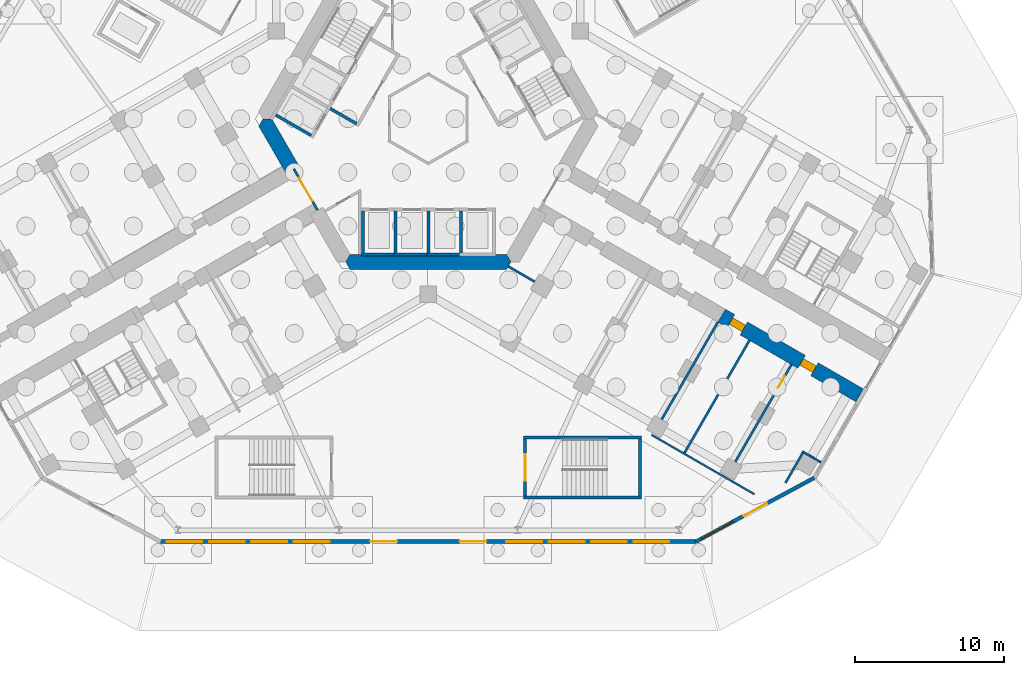
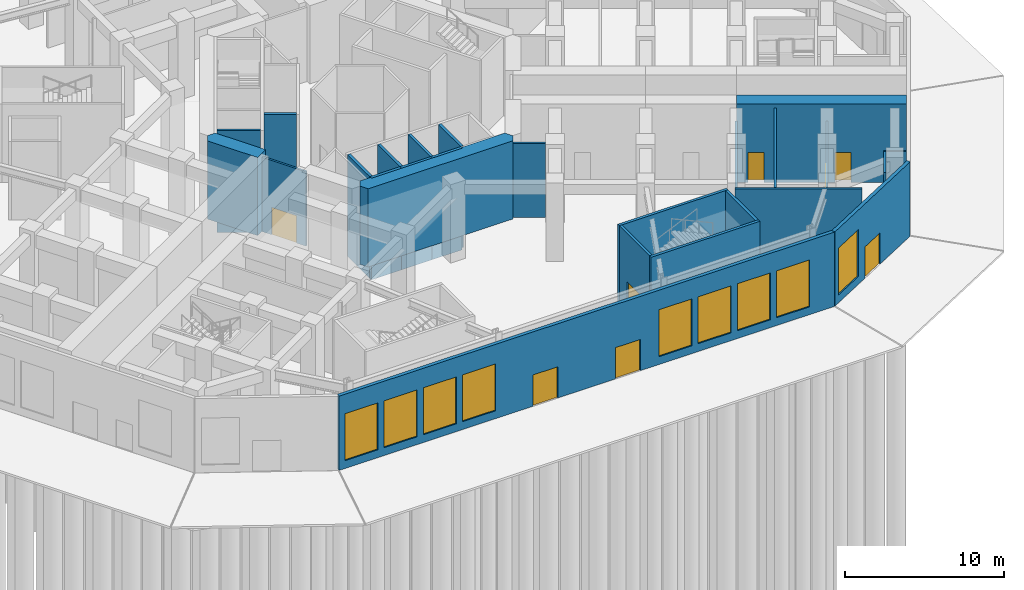
# One storey, part 6 of 16: 26 walls, 9 windows, 8 doors, 17 openings.
"""IFC4 building model written with IfcOpenShell, lengths in metres."""

import ifcopenshell
import ifcopenshell.guid

model = None  # the IFC model being written
_history = None  # IfcOwnerHistory: only IFC2X3 demands one
_inside = {}  # id of a spatial element -> (the spatial element, [elements in it])
_under = {}  # id of a project, library or spatial element -> (it, [spatial elements below it])
_declared = {}  # id of a project -> (the project, [libraries it declares])
_typed = {}  # id of a type object -> (the type object, [elements of that type])
_made_of = {}  # id of a material, layer set ... -> (it, [elements and type objects made of it])


def new_model(schema):
    """Start an empty IFC model of exactly this schema.

    Asked for "IFC4X3", IfcOpenShell would pick the latest addendum, in which some entities
    have other attributes; the version numbers below select the first issue.
    IFC2X3 requires an IfcOwnerHistory on every rooted entity: one is made here for all.
    """
    global model, _history
    if schema == "IFC4X3":
        model = ifcopenshell.file(schema_version=(4, 3, 0, 0))
    else:
        model = ifcopenshell.file(schema=schema)
    _inside.clear()
    _under.clear()
    _declared.clear()
    _typed.clear()
    _made_of.clear()
    _history = None
    if model.schema == "IFC2X3":
        org = make("IfcOrganization", Name="unknown")
        user = make(
            "IfcPersonAndOrganization",
            ThePerson=make("IfcPerson", FamilyName="unknown"),
            TheOrganization=org,
        )
        app = make(
            "IfcApplication",
            ApplicationDeveloper=org,
            Version="unknown",
            ApplicationFullName="unknown",
            ApplicationIdentifier="unknown",
        )
        _history = make(
            "IfcOwnerHistory",
            OwningUser=user,
            OwningApplication=app,
            ChangeAction="ADDED",
            CreationDate=0,
        )
    return model


def make(cls, **values):
    """One entity of the class cls with the attributes given. An attribute that is None is left unset."""
    return model.create_entity(
        cls, **{name: value for name, value in values.items() if value is not None}
    )


def rooted(cls, **values):
    """An entity with a GlobalId (a new one), such as an element, a storey or a relation."""
    return make(cls, GlobalId=ifcopenshell.guid.new(), OwnerHistory=_history, **values)


def si_unit(unit_type, name, prefix=None):
    """IfcSIUnit, for example si_unit("LENGTHUNIT", "METRE", prefix="MILLI")."""
    return make("IfcSIUnit", UnitType=unit_type, Prefix=prefix, Name=name)


def assignment(units):
    """IfcUnitAssignment: the units of a project."""
    return None if units is None else make("IfcUnitAssignment", Units=units)


def point(xyz):
    """IfcCartesianPoint."""
    return None if xyz is None else make("IfcCartesianPoint", Coordinates=xyz)


def direction(xyz):
    """IfcDirection."""
    return None if xyz is None else make("IfcDirection", DirectionRatios=xyz)


def frame(location, z_axis=None, x_axis=None):
    """IfcAxis2Placement3D, a coordinate frame: its origin and axes. An axis left out is left unset."""
    return make(
        "IfcAxis2Placement3D",
        Location=point(location),
        Axis=direction(z_axis),
        RefDirection=direction(x_axis),
    )


def frame_2d(location, x_axis=None):
    """IfcAxis2Placement2D, a coordinate frame in the plane: its origin and x axis."""
    return make(
        "IfcAxis2Placement2D", Location=point(location), RefDirection=direction(x_axis)
    )


def origin():
    """The frame at (0, 0, 0) with its axes left unset."""
    return frame((0.0, 0.0, 0.0))


def place(relative_to, where):
    """IfcLocalPlacement: puts the frame where relative to a parent placement (None: the world)."""
    return make(
        "IfcLocalPlacement", PlacementRelTo=relative_to, RelativePlacement=where
    )


def context(
    kind, dimensions, precision=None, world=None, true_north=None, identifier=None
):
    """IfcGeometricRepresentationContext, for example the 3D "Model" context."""
    return make(
        "IfcGeometricRepresentationContext",
        ContextIdentifier=identifier,
        ContextType=kind,
        CoordinateSpaceDimension=dimensions,
        Precision=precision,
        WorldCoordinateSystem=world,
        TrueNorth=true_north,
    )


def subcontext(parent, identifier, kind, view, scale=None):
    """IfcGeometricRepresentationSubContext, for example "Body" below "Model"."""
    return make(
        "IfcGeometricRepresentationSubContext",
        ContextIdentifier=identifier,
        ContextType=kind,
        ParentContext=parent,
        TargetScale=scale,
        TargetView=view,
    )


def project(units=None, contexts=None):
    """IfcProject with its units and contexts."""
    return rooted(
        "IfcProject",
        Name="project",
        RepresentationContexts=contexts,
        UnitsInContext=assignment(units),
    )


def spatial(cls, under=None, at=None, **own):
    """A site, building, storey or space (cls), placed at a placement, below another one or the project."""
    s = rooted(cls, ObjectPlacement=at, **own)
    if under is not None:
        _under.setdefault(under.id(), (under, []))[1].append(s)
    return s


def polyline(points):
    """IfcPolyline through the points."""
    return make("IfcPolyline", Points=[point(p) for p in points])


def profile(cls, at=None, kind="AREA", **sizes):
    """A parametric profile (cls). Its sizes go by their IFC names, for example OverallWidth=200.0."""
    return make(cls, ProfileType=kind, Position=at, **sizes)


def rectangle(**sizes):
    """IfcRectangleProfileDef."""
    return profile("IfcRectangleProfileDef", **sizes)


def outline(outer, holes=None, kind="AREA"):
    """IfcArbitraryClosedProfileDef: a profile drawn as a closed curve; with holes, ...WithVoids."""
    if holes is None:
        return make("IfcArbitraryClosedProfileDef", ProfileType=kind, OuterCurve=outer)
    return make(
        "IfcArbitraryProfileDefWithVoids",
        ProfileType=kind,
        OuterCurve=outer,
        InnerCurves=holes,
    )


def extrude(swept, where, along, depth):
    """IfcExtrudedAreaSolid: the profile swept, set in the frame where, extruded along a direction by depth."""
    return make(
        "IfcExtrudedAreaSolid",
        SweptArea=swept,
        Position=where,
        ExtrudedDirection=direction(along),
        Depth=depth,
    )


def shape(context_of_items, identifier, shape_type, items):
    """IfcShapeRepresentation: the items that make up one representation, for example the "Body"."""
    return make(
        "IfcShapeRepresentation",
        ContextOfItems=context_of_items,
        RepresentationIdentifier=identifier,
        RepresentationType=shape_type,
        Items=items,
    )


def material(Name=None, Category=None):
    """IfcMaterial."""
    return make("IfcMaterial", Name=Name, Category=Category)


def layer(
    of_material, thickness, ventilated=None, Name=None, Category=None, Priority=None
):
    """IfcMaterialLayer: one layer of a wall or slab, of a material (None: an air gap)."""
    return make(
        "IfcMaterialLayer",
        Material=of_material,
        LayerThickness=thickness,
        IsVentilated=ventilated,
        Name=Name,
        Category=Category,
        Priority=Priority,
    )


def layer_set(layers, Name=None):
    """IfcMaterialLayerSet."""
    return make("IfcMaterialLayerSet", MaterialLayers=layers, LayerSetName=Name)


def made_of(thing, what):
    """Note that an element or type object is made of a material, layer set ...; save() writes the relation."""
    if what is not None:
        _made_of.setdefault(what.id(), (what, []))[1].append(thing)
    return thing


def type_object(cls, material=None, **own):
    """A type object (cls), such as IfcWallType, which elements share."""
    return made_of(rooted(cls, **own), material)


def element(
    cls,
    number,
    at=None,
    inside=None,
    cuts=None,
    type_object=None,
    material=None,
    context=None,
    identifier="Body",
    shape_type=None,
    held_by="IfcProductDefinitionShape",
    body=None,
    shapes=None,
    **own,
):
    """One element of the class cls, such as IfcWall. Its Tag is "e" and its number.

    at: its placement. inside: the storey or other place that contains it. cuts: it is an
    opening in that element (IfcRelVoidsElement). A single representation is given by context,
    identifier, shape_type and body (its items); several are given by shapes. held_by: the class
    of the entity that holds the representations. save() writes the other relations.
    """
    e = rooted(cls, Tag="e%d" % number, ObjectPlacement=at, **own)
    if body is not None:
        shapes = [shape(context, identifier, shape_type, body)]
    if shapes is not None:
        e.Representation = make(held_by, Representations=shapes)
    if inside is not None:
        _inside.setdefault(inside.id(), (inside, []))[1].append(e)
    if cuts is not None:
        rooted(
            "IfcRelVoidsElement", RelatingBuildingElement=cuts, RelatedOpeningElement=e
        )
    if type_object is not None:
        _typed.setdefault(type_object.id(), (type_object, []))[1].append(e)
    return made_of(e, material)


def fill(opening, filler):
    """IfcRelFillsElement: the door or window that sits in an opening."""
    return rooted(
        "IfcRelFillsElement",
        RelatingOpeningElement=opening,
        RelatedBuildingElement=filler,
    )


def aggregate(whole, parts):
    """IfcRelAggregates: a whole, such as a stair, and the parts it consists of."""
    return rooted("IfcRelAggregates", RelatingObject=whole, RelatedObjects=parts)


def save(model, path):
    """Write the relations noted so far, then the file.

    IfcRelAggregates (storeys below a building ...), IfcRelContainedInSpatialStructure (elements
    in a storey), IfcRelDefinesByType, IfcRelAssociatesMaterial and IfcRelDeclares: one each for
    every whole, place, type object, material and project.
    """
    for whole, parts in _under.values():
        aggregate(whole, parts)
    for where, things in _inside.values():
        rooted(
            "IfcRelContainedInSpatialStructure",
            RelatedElements=things,
            RelatingStructure=where,
        )
    for kind, things in _typed.values():
        rooted("IfcRelDefinesByType", RelatedObjects=things, RelatingType=kind)
    for what, things in _made_of.values():
        rooted("IfcRelAssociatesMaterial", RelatedObjects=things, RelatingMaterial=what)
    for by, libraries in _declared.values():
        rooted("IfcRelDeclares", RelatingContext=by, RelatedDefinitions=libraries)
    model.write(path)


model = new_model("IFC4")

# Units and contexts
model_context = context("Model", 3, precision=1e-05, world=origin(), true_north=direction((0.0, 1.0)))
body_context = subcontext(model_context, "Body", "Model", "MODEL_VIEW")
ifc_project = project(units=[si_unit("LENGTHUNIT", "METRE"), si_unit("AREAUNIT", "SQUARE_METRE"), si_unit("VOLUMEUNIT", "CUBIC_METRE"), si_unit("PLANEANGLEUNIT", "RADIAN"), si_unit("MASSUNIT", "GRAM", prefix="KILO")], contexts=[model_context])

# Site, building, storey
site_placement = place(None, origin())
site = spatial("IfcSite", under=ifc_project, at=site_placement, CompositionType="ELEMENT")
building_placement = place(site_placement, origin())
building = spatial("IfcBuilding", under=site, at=building_placement, Name="Kosmar Iwan School Tower", CompositionType="ELEMENT")
storey_placement = place(building_placement, origin())
storey = spatial("IfcBuildingStorey", under=building, at=storey_placement, Name="L00", CompositionType="ELEMENT", Elevation=0.0)

# Walls
ifc_material_1 = material(Name="Concrete C50/60", Category="concrete")
ifc_layer_1 = layer(ifc_material_1, 1.0)
ifc_layer_set_1 = layer_set([ifc_layer_1], Name="Core wall 1000")
wall_type_1 = type_object("IfcWallType", Name="Core wall 1000", PredefinedType="SHEAR", material=ifc_layer_set_1)
wall_1_placement = place(storey_placement, origin())
element("IfcWall", 1, at=wall_1_placement, inside=storey, type_object=wall_type_1, Name="Core wall F210a", PredefinedType="SHEAR", context=body_context, shape_type="SweptSolid", body=[
    extrude(outline(polyline([(-9.546875, -3.664306640625), (-8.680908203125, -3.164306640625), (-10.5078125, 0.0), (-11.085205078125, 0.0), (-11.373779296875, -0.5), (-9.546875, -3.664306640625)])), origin(), (0.0, 0.0, 1.0), 6.0),
])
wall_2_placement = place(storey_placement, origin())
element("IfcWall", 2, at=wall_2_placement, inside=storey, type_object=wall_type_1, Name="Core wall F270", PredefinedType="SHEAR", context=body_context, shape_type="SweptSolid", body=[
    extrude(outline(polyline([(-5.25390625, -10.10009765625), (5.25390625, -10.10009765625), (5.54248046875, -9.60009765625), (5.25390625, -9.10009765625), (-5.25390625, -9.10009765625), (-5.54248046875, -9.60009765625), (-5.25390625, -10.10009765625)])), origin(), (0.0, 0.0, 1.0), 6.0),
])

# Wall, openings, doors
ifc_material_2 = material(Name="Concrete C50/60", Category="concrete")
ifc_layer_2 = layer(ifc_material_2, 1.0)
ifc_layer_set_2 = layer_set([ifc_layer_2], Name="Corridor buttress wall 1000")
wall_type_2 = type_object("IfcWallType", Name="Corridor buttress wall 1000", PredefinedType="SHEAR", material=ifc_layer_set_2)
wall_3_placement = place(storey_placement, frame((19.681396484375, -13.210693359375, 0.0), z_axis=(0.0, 0.0, 1.0), x_axis=(0.866034362967, -0.499984481919, 0.0)))
wall_3 = element("IfcWall", 3, at=wall_3_placement, inside=storey, type_object=wall_type_2, Name="Corridor wall CR bay 3", PredefinedType="SHEAR", context=body_context, shape_type="SweptSolid", body=[
    extrude(rectangle(XDim=10.699951171875, YDim=1.0, at=frame_2d((5.35009765625, 0.0))), origin(), (0.0, 0.0, 1.0), 6.0),
])
opening_1_placement = place(wall_3_placement, frame((0.72509765625, 0.0, 0.0)))
opening_1 = element("IfcOpeningElement", 4, at=opening_1_placement, cuts=wall_3, Name="Opening D4", PredefinedType="OPENING", context=body_context, shape_type="SweptSolid", body=[
    extrude(rectangle(XDim=1.0, YDim=2.300048828125, at=frame_2d((0.5, 1.14990234375))), frame((0.0, 0.511962890625, 0.0), z_axis=(0.0, -1.0, 0.0), x_axis=(1.0, 0.0, 0.0)), (0.0, 0.0, 1.0), 1.02392578125),
])
opening_2_placement = place(wall_3_placement, frame((6.199951171875, 0.0, 0.0)))
opening_2 = element("IfcOpeningElement", 5, at=opening_2_placement, cuts=wall_3, Name="Opening D4", PredefinedType="OPENING", context=body_context, shape_type="SweptSolid", body=[
    extrude(rectangle(XDim=1.0, YDim=2.300048828125, at=frame_2d((0.5, 1.14990234375))), frame((0.0, 0.511962890625, 0.0), z_axis=(0.0, -1.0, 0.0), x_axis=(1.0, 0.0, 0.0)), (0.0, 0.0, 1.0), 1.02392578125),
])
ifc_material_3 = material(Name="Timber fire door with vision panel", Category="wood")
door_type_1 = type_object("IfcDoorType", Name="Classroom door 1000x2300", OperationType="SINGLE_SWING_LEFT", PredefinedType="DOOR", material=ifc_material_3)
door_1_placement = place(opening_1_placement, origin())
door_1 = element("IfcDoor", 6, at=door_1_placement, inside=storey, type_object=door_type_1, Name="Accessible toilet door L00-CR3", OperationType="SINGLE_SWING_LEFT", OverallHeight=2.300048828125, OverallWidth=1.0, PredefinedType="DOOR", context=body_context, shape_type="SweptSolid", body=[
    extrude(rectangle(XDim=1.0, YDim=2.300048828125, at=frame_2d((0.5, 1.14990234375))), frame((0.0, 0.25, 0.0), z_axis=(0.0, -1.0, 0.0), x_axis=(1.0, 0.0, 0.0)), (0.0, 0.0, 1.0), 0.5),
])
fill(opening_1, door_1)
door_2_placement = place(opening_2_placement, origin())
door_2 = element("IfcDoor", 7, at=door_2_placement, inside=storey, type_object=door_type_1, Name="Toilets door L00-CR4", OperationType="SINGLE_SWING_RIGHT", OverallHeight=2.300048828125, OverallWidth=1.0, PredefinedType="DOOR", context=body_context, shape_type="SweptSolid", body=[
    extrude(rectangle(XDim=1.0, YDim=2.300048828125, at=frame_2d((0.5, 1.14990234375))), frame((0.0, 0.25, 0.0), z_axis=(0.0, -1.0, 0.0), x_axis=(1.0, 0.0, 0.0)), (0.0, 0.0, 1.0), 0.5),
])
fill(opening_2, door_2)

# Wall, opening, door
ifc_material_4 = material(Name="Steel framed glazed screen", Category="steel")
ifc_layer_3 = layer(ifc_material_4, 0.14990234375)
ifc_layer_set_3 = layer_set([ifc_layer_3], Name="Corridor screen wall 150")
wall_type_3 = type_object("IfcWallType", Name="Corridor screen wall 150", PredefinedType="PARTITIONING", material=ifc_layer_set_3)
wall_4_placement = place(storey_placement, frame((-9.02734375, -3.3642578125, 0.0), z_axis=(0.0, 0.0, 1.0), x_axis=(0.499995408039, -0.866028054938, 0.0)))
wall_4 = element("IfcWall", 8, at=wall_4_placement, inside=storey, type_object=wall_type_3, Name="Corridor screen B L00", PredefinedType="PARTITIONING", context=body_context, shape_type="SweptSolid", body=[
    extrude(rectangle(XDim=3.2001953125, YDim=0.14990234375, at=frame_2d((1.60009765625, 0.0))), origin(), (0.0, 0.0, 1.0), 5.699951171875),
])
opening_3_placement = place(wall_4_placement, frame((0.699951171875, 0.0, 0.0)))
opening_3 = element("IfcOpeningElement", 9, at=opening_3_placement, cuts=wall_4, Name="Opening D9", PredefinedType="OPENING", context=body_context, shape_type="SweptSolid", body=[
    extrude(rectangle(XDim=1.800048828125, YDim=2.10009765625, at=frame_2d((0.89990234375, 1.050048828125))), frame((0.0, 0.0869140625, 0.0), z_axis=(0.0, -1.0, 0.0), x_axis=(1.0, 0.0, 0.0)), (0.0, 0.0, 1.0), 0.173828125),
])
ifc_material_5 = material(Name="Steel framed glazed smoke door", Category="steel")
door_type_2 = type_object("IfcDoorType", Name="Corridor smoke door pair 1800x2100", OperationType="DOUBLE_DOOR_DOUBLE_SWING", PredefinedType="DOOR", material=ifc_material_5)
door_3_placement = place(opening_3_placement, origin())
door_3 = element("IfcDoor", 10, at=door_3_placement, inside=storey, type_object=door_type_2, Name="Corridor doors B L00", OperationType="DOUBLE_DOOR_DOUBLE_SWING", OverallHeight=2.10009765625, OverallWidth=1.800048828125, PredefinedType="DOOR", context=body_context, shape_type="SweptSolid", body=[
    extrude(rectangle(XDim=1.800048828125, YDim=2.10009765625, at=frame_2d((0.89990234375, 1.050048828125))), frame((0.0, 0.02490234375, 0.0), z_axis=(0.0, -1.0, 0.0), x_axis=(1.0, 0.0, 0.0)), (0.0, 0.0, 1.0), 0.050048828125),
])
fill(opening_3, door_3)

# Walls
ifc_material_6 = material(Name="Gypsum board on steel studs", Category="steel")
ifc_layer_4 = layer(ifc_material_6, 0.1201171875)
ifc_layer_set_4 = layer_set([ifc_layer_4], Name="Dwelling partition 120")
wall_type_4 = type_object("IfcWallType", Name="Dwelling partition 120", PredefinedType="PARTITIONING", material=ifc_layer_set_4)
wall_5_placement = place(storey_placement, frame((25.09716796875, -22.330322265625, 0.0), z_axis=(0.0, 0.0, 1.0), x_axis=(0.866033125095, -0.499986626058, 0.0)))
element("IfcWall", 11, at=wall_5_placement, inside=storey, type_object=wall_type_4, Name="Partition L00-CR-DL", PredefinedType="PARTITIONING", context=body_context, shape_type="SweptSolid", body=[
    extrude(rectangle(XDim=1.43994140625, YDim=0.1201171875, at=frame_2d((0.719970703125, 0.0))), origin(), (0.0, 0.0, 1.0), 5.699951171875),
])
wall_6_placement = place(storey_placement, frame((14.9765625, -21.2099609375, 0.0), z_axis=(0.0, 0.0, 1.0), x_axis=(0.866031436171, -0.499989551455, 0.0)))
element("IfcWall", 12, at=wall_6_placement, inside=storey, type_object=wall_type_4, Name="Partition L00-CR-TW", PredefinedType="PARTITIONING", context=body_context, shape_type="SweptSolid", body=[
    extrude(rectangle(XDim=7.965087890625, YDim=0.1201171875, at=frame_2d((3.982421875, 0.0))), origin(), (0.0, 0.0, 1.0), 5.699951171875),
])

# Wall, openings, doors, windows
ifc_material_7 = material(Name="Black steel framed glazed screen", Category="steel")
ifc_layer_5 = layer(ifc_material_7, 0.25)
ifc_layer_set_5 = layer_set([ifc_layer_5], Name="Entrance screen wall 250")
wall_type_5 = type_object("IfcWallType", Name="Entrance screen wall 250", PredefinedType="SOLIDWALL", material=ifc_layer_set_5)
wall_7_placement = place(storey_placement, frame((-17.968505859375, -28.375, 0.0), z_axis=(0.0, 0.0, 1.0), x_axis=(1.0, 0.0, 0.0)))
wall_7 = element("IfcWall", 13, at=wall_7_placement, inside=storey, type_object=wall_type_5, Name="Entrance screen L00 L00-F00", PredefinedType="SOLIDWALL", context=body_context, shape_type="SweptSolid", body=[
    extrude(rectangle(XDim=35.93701171875, YDim=0.25, at=frame_2d((17.968505859375, 0.0))), origin(), (0.0, 0.0, 1.0), 5.699951171875),
])
opening_4_placement = place(wall_7_placement, frame((14.068359375, 0.0, 0.0)))
opening_4 = element("IfcOpeningElement", 14, at=opening_4_placement, cuts=wall_7, Name="Opening D10", PredefinedType="OPENING", context=body_context, shape_type="SweptSolid", body=[
    extrude(rectangle(XDim=1.800048828125, YDim=2.39990234375, at=frame_2d((0.89990234375, 1.199951171875))), frame((0.0, 0.136962890625, 0.0), z_axis=(0.0, -1.0, 0.0), x_axis=(1.0, 0.0, 0.0)), (0.0, 0.0, 1.0), 0.27392578125),
])
opening_5_placement = place(wall_7_placement, frame((20.068359375, 0.0, 0.0)))
opening_5 = element("IfcOpeningElement", 15, at=opening_5_placement, cuts=wall_7, Name="Opening D10", PredefinedType="OPENING", context=body_context, shape_type="SweptSolid", body=[
    extrude(rectangle(XDim=1.800048828125, YDim=2.39990234375, at=frame_2d((0.89990234375, 1.199951171875))), frame((0.0, 0.136962890625, 0.0), z_axis=(0.0, -1.0, 0.0), x_axis=(1.0, 0.0, 0.0)), (0.0, 0.0, 1.0), 0.27392578125),
])
opening_6_placement = place(wall_7_placement, frame((0.39990234375, 0.0, 0.60009765625)))
opening_6 = element("IfcOpeningElement", 16, at=opening_6_placement, cuts=wall_7, Name="Opening W3", PredefinedType="OPENING", context=body_context, shape_type="SweptSolid", body=[
    extrude(rectangle(XDim=2.39990234375, YDim=3.60009765625, at=frame_2d((1.199951171875, 1.800048828125))), frame((0.0, 0.136962890625, 0.0), z_axis=(0.0, -1.0, 0.0), x_axis=(1.0, 0.0, 0.0)), (0.0, 0.0, 1.0), 0.27392578125),
])
opening_7_placement = place(wall_7_placement, frame((3.25, 0.0, 0.60009765625)))
opening_7 = element("IfcOpeningElement", 17, at=opening_7_placement, cuts=wall_7, Name="Opening W3", PredefinedType="OPENING", context=body_context, shape_type="SweptSolid", body=[
    extrude(rectangle(XDim=2.39990234375, YDim=3.60009765625, at=frame_2d((1.199951171875, 1.800048828125))), frame((0.0, 0.136962890625, 0.0), z_axis=(0.0, -1.0, 0.0), x_axis=(1.0, 0.0, 0.0)), (0.0, 0.0, 1.0), 0.27392578125),
])
opening_8_placement = place(wall_7_placement, frame((6.10009765625, 0.0, 0.60009765625)))
opening_8 = element("IfcOpeningElement", 18, at=opening_8_placement, cuts=wall_7, Name="Opening W3", PredefinedType="OPENING", context=body_context, shape_type="SweptSolid", body=[
    extrude(rectangle(XDim=2.39990234375, YDim=3.60009765625, at=frame_2d((1.199951171875, 1.800048828125))), frame((0.0, 0.136962890625, 0.0), z_axis=(0.0, -1.0, 0.0), x_axis=(1.0, 0.0, 0.0)), (0.0, 0.0, 1.0), 0.27392578125),
])
opening_9_placement = place(wall_7_placement, frame((8.949951171875, 0.0, 0.60009765625)))
opening_9 = element("IfcOpeningElement", 19, at=opening_9_placement, cuts=wall_7, Name="Opening W3", PredefinedType="OPENING", context=body_context, shape_type="SweptSolid", body=[
    extrude(rectangle(XDim=2.39990234375, YDim=3.60009765625, at=frame_2d((1.199951171875, 1.800048828125))), frame((0.0, 0.136962890625, 0.0), z_axis=(0.0, -1.0, 0.0), x_axis=(1.0, 0.0, 0.0)), (0.0, 0.0, 1.0), 0.27392578125),
])
opening_10_placement = place(wall_7_placement, frame((23.199951171875, 0.0, 0.60009765625)))
opening_10 = element("IfcOpeningElement", 20, at=opening_10_placement, cuts=wall_7, Name="Opening W3", PredefinedType="OPENING", context=body_context, shape_type="SweptSolid", body=[
    extrude(rectangle(XDim=2.39990234375, YDim=3.60009765625, at=frame_2d((1.199951171875, 1.800048828125))), frame((0.0, 0.136962890625, 0.0), z_axis=(0.0, -1.0, 0.0), x_axis=(1.0, 0.0, 0.0)), (0.0, 0.0, 1.0), 0.27392578125),
])
opening_11_placement = place(wall_7_placement, frame((26.050048828125, 0.0, 0.60009765625)))
opening_11 = element("IfcOpeningElement", 21, at=opening_11_placement, cuts=wall_7, Name="Opening W3", PredefinedType="OPENING", context=body_context, shape_type="SweptSolid", body=[
    extrude(rectangle(XDim=2.39990234375, YDim=3.60009765625, at=frame_2d((1.199951171875, 1.800048828125))), frame((0.0, 0.136962890625, 0.0), z_axis=(0.0, -1.0, 0.0), x_axis=(1.0, 0.0, 0.0)), (0.0, 0.0, 1.0), 0.27392578125),
])
opening_12_placement = place(wall_7_placement, frame((28.89990234375, 0.0, 0.60009765625)))
opening_12 = element("IfcOpeningElement", 22, at=opening_12_placement, cuts=wall_7, Name="Opening W3", PredefinedType="OPENING", context=body_context, shape_type="SweptSolid", body=[
    extrude(rectangle(XDim=2.39990234375, YDim=3.60009765625, at=frame_2d((1.199951171875, 1.800048828125))), frame((0.0, 0.136962890625, 0.0), z_axis=(0.0, -1.0, 0.0), x_axis=(1.0, 0.0, 0.0)), (0.0, 0.0, 1.0), 0.27392578125),
])
opening_13_placement = place(wall_7_placement, frame((31.75, 0.0, 0.60009765625)))
opening_13 = element("IfcOpeningElement", 23, at=opening_13_placement, cuts=wall_7, Name="Opening W3", PredefinedType="OPENING", context=body_context, shape_type="SweptSolid", body=[
    extrude(rectangle(XDim=2.39990234375, YDim=3.60009765625, at=frame_2d((1.199951171875, 1.800048828125))), frame((0.0, 0.136962890625, 0.0), z_axis=(0.0, -1.0, 0.0), x_axis=(1.0, 0.0, 0.0)), (0.0, 0.0, 1.0), 0.27392578125),
])
ifc_material_8 = material(Name="Black steel framed glazed door", Category="steel")
door_type_3 = type_object("IfcDoorType", Name="Entrance door pair 1800x2400", OperationType="DOUBLE_DOOR_SINGLE_SWING", PredefinedType="DOOR", material=ifc_material_8)
door_4_placement = place(opening_4_placement, frame((1.800048828125, 0.0, 0.0), z_axis=(0.0, 0.0, 1.0), x_axis=(-1.0, 0.0, 0.0)))
door_4 = element("IfcDoor", 24, at=door_4_placement, inside=storey, type_object=door_type_3, Name="Entrance doors L00-F00 1", OperationType="DOUBLE_DOOR_SINGLE_SWING", OverallHeight=2.39990234375, OverallWidth=1.800048828125, PredefinedType="DOOR", context=body_context, shape_type="SweptSolid", body=[
    extrude(rectangle(XDim=1.800048828125, YDim=2.39990234375, at=frame_2d((0.89990234375, 1.199951171875))), frame((0.0, 0.02490234375, 0.0), z_axis=(0.0, -1.0, 0.0), x_axis=(1.0, 0.0, 0.0)), (0.0, 0.0, 1.0), 0.050048828125),
])
fill(opening_4, door_4)
door_5_placement = place(opening_5_placement, frame((1.800048828125, 0.0, 0.0), z_axis=(0.0, 0.0, 1.0), x_axis=(-1.0, 0.0, 0.0)))
door_5 = element("IfcDoor", 25, at=door_5_placement, inside=storey, type_object=door_type_3, Name="Entrance doors L00-F00 2", OperationType="DOUBLE_DOOR_SINGLE_SWING", OverallHeight=2.39990234375, OverallWidth=1.800048828125, PredefinedType="DOOR", context=body_context, shape_type="SweptSolid", body=[
    extrude(rectangle(XDim=1.800048828125, YDim=2.39990234375, at=frame_2d((0.89990234375, 1.199951171875))), frame((0.0, 0.02490234375, 0.0), z_axis=(0.0, -1.0, 0.0), x_axis=(1.0, 0.0, 0.0)), (0.0, 0.0, 1.0), 0.050048828125),
])
fill(opening_5, door_5)
ifc_material_9 = material(Name="Black aluminium frame with dark triple glazing", Category="aluminium")
window_type = type_object("IfcWindowType", Name="Screen window 2400x3600", PartitioningType="SINGLE_PANEL", PredefinedType="WINDOW", material=ifc_material_9)
window_1_placement = place(opening_6_placement, origin())
window_1 = element("IfcWindow", 26, at=window_1_placement, inside=storey, type_object=window_type, Name="Screen window L00-F00", OverallHeight=3.60009765625, OverallWidth=2.39990234375, PartitioningType="SINGLE_PANEL", PredefinedType="WINDOW", context=body_context, shape_type="SweptSolid", body=[
    extrude(rectangle(XDim=2.39990234375, YDim=3.60009765625, at=frame_2d((1.199951171875, 1.800048828125))), frame((0.0, 0.030029296875, 0.0), z_axis=(0.0, -1.0, 0.0), x_axis=(1.0, 0.0, 0.0)), (0.0, 0.0, 1.0), 0.06005859375),
])
fill(opening_6, window_1)
window_2_placement = place(opening_7_placement, origin())
window_2 = element("IfcWindow", 27, at=window_2_placement, inside=storey, type_object=window_type, Name="Screen window L00-F00", OverallHeight=3.60009765625, OverallWidth=2.39990234375, PartitioningType="SINGLE_PANEL", PredefinedType="WINDOW", context=body_context, shape_type="SweptSolid", body=[
    extrude(rectangle(XDim=2.39990234375, YDim=3.60009765625, at=frame_2d((1.199951171875, 1.800048828125))), frame((0.0, 0.030029296875, 0.0), z_axis=(0.0, -1.0, 0.0), x_axis=(1.0, 0.0, 0.0)), (0.0, 0.0, 1.0), 0.06005859375),
])
fill(opening_7, window_2)
window_3_placement = place(opening_8_placement, origin())
window_3 = element("IfcWindow", 28, at=window_3_placement, inside=storey, type_object=window_type, Name="Screen window L00-F00", OverallHeight=3.60009765625, OverallWidth=2.39990234375, PartitioningType="SINGLE_PANEL", PredefinedType="WINDOW", context=body_context, shape_type="SweptSolid", body=[
    extrude(rectangle(XDim=2.39990234375, YDim=3.60009765625, at=frame_2d((1.199951171875, 1.800048828125))), frame((0.0, 0.030029296875, 0.0), z_axis=(0.0, -1.0, 0.0), x_axis=(1.0, 0.0, 0.0)), (0.0, 0.0, 1.0), 0.06005859375),
])
fill(opening_8, window_3)
window_4_placement = place(opening_9_placement, origin())
window_4 = element("IfcWindow", 29, at=window_4_placement, inside=storey, type_object=window_type, Name="Screen window L00-F00", OverallHeight=3.60009765625, OverallWidth=2.39990234375, PartitioningType="SINGLE_PANEL", PredefinedType="WINDOW", context=body_context, shape_type="SweptSolid", body=[
    extrude(rectangle(XDim=2.39990234375, YDim=3.60009765625, at=frame_2d((1.199951171875, 1.800048828125))), frame((0.0, 0.030029296875, 0.0), z_axis=(0.0, -1.0, 0.0), x_axis=(1.0, 0.0, 0.0)), (0.0, 0.0, 1.0), 0.06005859375),
])
fill(opening_9, window_4)
window_5_placement = place(opening_10_placement, origin())
window_5 = element("IfcWindow", 30, at=window_5_placement, inside=storey, type_object=window_type, Name="Screen window L00-F00", OverallHeight=3.60009765625, OverallWidth=2.39990234375, PartitioningType="SINGLE_PANEL", PredefinedType="WINDOW", context=body_context, shape_type="SweptSolid", body=[
    extrude(rectangle(XDim=2.39990234375, YDim=3.60009765625, at=frame_2d((1.199951171875, 1.800048828125))), frame((0.0, 0.030029296875, 0.0), z_axis=(0.0, -1.0, 0.0), x_axis=(1.0, 0.0, 0.0)), (0.0, 0.0, 1.0), 0.06005859375),
])
fill(opening_10, window_5)
window_6_placement = place(opening_11_placement, origin())
window_6 = element("IfcWindow", 31, at=window_6_placement, inside=storey, type_object=window_type, Name="Screen window L00-F00", OverallHeight=3.60009765625, OverallWidth=2.39990234375, PartitioningType="SINGLE_PANEL", PredefinedType="WINDOW", context=body_context, shape_type="SweptSolid", body=[
    extrude(rectangle(XDim=2.39990234375, YDim=3.60009765625, at=frame_2d((1.199951171875, 1.800048828125))), frame((0.0, 0.030029296875, 0.0), z_axis=(0.0, -1.0, 0.0), x_axis=(1.0, 0.0, 0.0)), (0.0, 0.0, 1.0), 0.06005859375),
])
fill(opening_11, window_6)
window_7_placement = place(opening_12_placement, origin())
window_7 = element("IfcWindow", 32, at=window_7_placement, inside=storey, type_object=window_type, Name="Screen window L00-F00", OverallHeight=3.60009765625, OverallWidth=2.39990234375, PartitioningType="SINGLE_PANEL", PredefinedType="WINDOW", context=body_context, shape_type="SweptSolid", body=[
    extrude(rectangle(XDim=2.39990234375, YDim=3.60009765625, at=frame_2d((1.199951171875, 1.800048828125))), frame((0.0, 0.030029296875, 0.0), z_axis=(0.0, -1.0, 0.0), x_axis=(1.0, 0.0, 0.0)), (0.0, 0.0, 1.0), 0.06005859375),
])
fill(opening_12, window_7)
window_8_placement = place(opening_13_placement, origin())
window_8 = element("IfcWindow", 33, at=window_8_placement, inside=storey, type_object=window_type, Name="Screen window L00-F00", OverallHeight=3.60009765625, OverallWidth=2.39990234375, PartitioningType="SINGLE_PANEL", PredefinedType="WINDOW", context=body_context, shape_type="SweptSolid", body=[
    extrude(rectangle(XDim=2.39990234375, YDim=3.60009765625, at=frame_2d((1.199951171875, 1.800048828125))), frame((0.0, 0.030029296875, 0.0), z_axis=(0.0, -1.0, 0.0), x_axis=(1.0, 0.0, 0.0)), (0.0, 0.0, 1.0), 0.06005859375),
])
fill(opening_13, window_8)

# Wall, openings, door, window
wall_8_placement = place(storey_placement, frame((17.968505859375, -28.375, 0.0), z_axis=(0.0, 0.0, 1.0), x_axis=(0.879869382493, 0.475215603438, 0.0)))
wall_8 = element("IfcWall", 34, at=wall_8_placement, inside=storey, type_object=wall_type_5, Name="Entrance screen L00 L00-F01", PredefinedType="SOLIDWALL", context=body_context, shape_type="SweptSolid", body=[
    extrude(rectangle(XDim=9.01318359375, YDim=0.25, at=frame_2d((4.506591796875, 0.0))), origin(), (0.0, 0.0, 1.0), 5.699951171875),
])
opening_14_placement = place(wall_8_placement, frame((3.606689453125, 0.0, 0.0)))
opening_14 = element("IfcOpeningElement", 35, at=opening_14_placement, cuts=wall_8, Name="Opening D10", PredefinedType="OPENING", context=body_context, shape_type="SweptSolid", body=[
    extrude(rectangle(XDim=1.800048828125, YDim=2.39990234375, at=frame_2d((0.89990234375, 1.199951171875))), frame((0.0, 0.136962890625, 0.0), z_axis=(0.0, -1.0, 0.0), x_axis=(1.0, 0.0, 0.0)), (0.0, 0.0, 1.0), 0.27392578125),
])
opening_15_placement = place(wall_8_placement, frame((0.39990234375, 0.0, 0.60009765625)))
opening_15 = element("IfcOpeningElement", 36, at=opening_15_placement, cuts=wall_8, Name="Opening W3", PredefinedType="OPENING", context=body_context, shape_type="SweptSolid", body=[
    extrude(rectangle(XDim=2.39990234375, YDim=3.60009765625, at=frame_2d((1.199951171875, 1.800048828125))), frame((0.0, 0.136962890625, 0.0), z_axis=(0.0, -1.0, 0.0), x_axis=(1.0, 0.0, 0.0)), (0.0, 0.0, 1.0), 0.27392578125),
])
door_6_placement = place(opening_14_placement, frame((1.800048828125, 0.0, 0.0), z_axis=(0.0, 0.0, 1.0), x_axis=(-1.0, 0.0, 0.0)))
door_6 = element("IfcDoor", 37, at=door_6_placement, inside=storey, type_object=door_type_3, Name="Entrance doors L00-F01 1", OperationType="DOUBLE_DOOR_SINGLE_SWING", OverallHeight=2.39990234375, OverallWidth=1.800048828125, PredefinedType="DOOR", context=body_context, shape_type="SweptSolid", body=[
    extrude(rectangle(XDim=1.800048828125, YDim=2.39990234375, at=frame_2d((0.89990234375, 1.199951171875))), frame((0.0, 0.02490234375, 0.0), z_axis=(0.0, -1.0, 0.0), x_axis=(1.0, 0.0, 0.0)), (0.0, 0.0, 1.0), 0.050048828125),
])
fill(opening_14, door_6)
window_9_placement = place(opening_15_placement, origin())
window_9 = element("IfcWindow", 38, at=window_9_placement, inside=storey, type_object=window_type, Name="Screen window L00-F01", OverallHeight=3.60009765625, OverallWidth=2.39990234375, PartitioningType="SINGLE_PANEL", PredefinedType="WINDOW", context=body_context, shape_type="SweptSolid", body=[
    extrude(rectangle(XDim=2.39990234375, YDim=3.60009765625, at=frame_2d((1.199951171875, 1.800048828125))), frame((0.0, 0.030029296875, 0.0), z_axis=(0.0, -1.0, 0.0), x_axis=(1.0, 0.0, 0.0)), (0.0, 0.0, 1.0), 0.06005859375),
])
fill(opening_15, window_9)

# Walls
ifc_material_10 = material(Name="Concrete block masonry", Category="masonry")
ifc_layer_6 = layer(ifc_material_10, 0.199951171875)
ifc_layer_set_6 = layer_set([ifc_layer_6], Name="Fire lobby wall 200")
wall_type_6 = type_object("IfcWallType", Name="Fire lobby wall 200", PredefinedType="PARTITIONING", material=ifc_layer_set_6)
wall_9_placement = place(storey_placement, frame((-4.814208984375, -0.33837890625, 0.0), z_axis=(0.0, 0.0, 1.0), x_axis=(-0.865969381856, 0.500097020274, 0.0)))
element("IfcWall", 39, at=wall_9_placement, inside=storey, type_object=wall_type_6, Name="Firefighting lobby wall ST2", PredefinedType="PARTITIONING", context=body_context, shape_type="SweptSolid", body=[
    extrude(rectangle(XDim=2.0498046875, YDim=0.199951171875, at=frame_2d((1.02490234375, 0.0))), origin(), (0.0, 0.0, 1.0), 5.699951171875),
])
ifc_material_11 = material(Name="Concrete C50/60", Category="concrete")
ifc_layer_7 = layer(ifc_material_11, 0.199951171875)
ifc_layer_set_7 = layer_set([ifc_layer_7], Name="Lift shaft wall 200")
wall_type_7 = type_object("IfcWallType", Name="Lift shaft wall 200", PredefinedType="SHEAR", material=ifc_layer_set_7)
wall_10_placement = place(storey_placement, frame((-7.862548828125, -1.118408203125, -1.800048828125), z_axis=(0.0, 0.0, 1.0), x_axis=(-0.866027397988, 0.499996545922, 0.0)))
element("IfcWall", 40, at=wall_10_placement, inside=storey, type_object=wall_type_7, Name="Lift shaft wall AB 2", PredefinedType="SHEAR", context=body_context, shape_type="SweptSolid", body=[
    extrude(rectangle(XDim=2.75, YDim=0.199951171875, at=frame_2d((1.375, 0.0))), origin(), (0.0, 0.0, 1.0), 7.800048828125),
])
for number, where, z_axis, x_axis, name in (
    (41, (-4.5, -9.10009765625, -1.800048828125), (0.0, 0.0, 1.0), (1.0, 0.0, 0.0), "Lift and stair back wall BC"),
    (42, (-2.300048828125, -9.10009765625, -1.800048828125), (0.0, 0.0, 1.0), (1.0, 0.0, 0.0), "Lift and stair back wall BC"),
):
    element("IfcWall", number, at=place(storey_placement, frame(where, z_axis=z_axis, x_axis=x_axis)), inside=storey, type_object=wall_type_7, Name=name, PredefinedType="SHEAR", context=body_context, shape_type="SweptSolid", body=[
        extrude(rectangle(XDim=2.199951171875, YDim=0.199951171875, at=frame_2d((1.10009765625, 0.0))), origin(), (0.0, 0.0, 1.0), 7.800048828125),
    ])
wall_11_placement = place(storey_placement, frame((-0.10009765625, -9.10009765625, -1.800048828125), z_axis=(0.0, 0.0, 1.0), x_axis=(1.0, 0.0, 0.0)))
element("IfcWall", 43, at=wall_11_placement, inside=storey, type_object=wall_type_7, Name="Lift and stair back wall BC", PredefinedType="SHEAR", context=body_context, shape_type="SweptSolid", body=[
    extrude(rectangle(XDim=2.2001953125, YDim=0.199951171875, at=frame_2d((1.10009765625, 0.0))), origin(), (0.0, 0.0, 1.0), 7.800048828125),
])
for number, where, z_axis, x_axis, name in (
    (44, (-4.39990234375, -6.199951171875, -1.800048828125), (0.0, 0.0, 1.0), (0.0, -1.0, 0.0), "Lift shaft wall BC 0"),
    (45, (-2.199951171875, -6.199951171875, -1.800048828125), (0.0, 0.0, 1.0), (0.0, -1.0, 0.0), "Lift shaft wall BC 1"),
    (46, (0.0, -6.199951171875, -1.800048828125), (0.0, 0.0, 1.0), (0.0, -1.0, 0.0), "Lift shaft wall BC 2"),
    (47, (2.199951171875, -6.199951171875, -1.800048828125), (0.0, 0.0, 1.0), (0.0, -1.0, 0.0), "Lift shaft wall BC 3"),
):
    element("IfcWall", number, at=place(storey_placement, frame(where, z_axis=z_axis, x_axis=x_axis)), inside=storey, type_object=wall_type_7, Name=name, PredefinedType="SHEAR", context=body_context, shape_type="SweptSolid", body=[
        extrude(rectangle(XDim=2.800048828125, YDim=0.199951171875, at=frame_2d((1.39990234375, 0.0))), origin(), (0.0, 0.0, 1.0), 7.800048828125),
    ])
ifc_material_12 = material(Name="Gypsum board on steel studs", Category="steel")
ifc_layer_8 = layer(ifc_material_12, 0.14990234375)
ifc_layer_set_8 = layer_set([ifc_layer_8], Name="School partition 150")
wall_type_8 = type_object("IfcWallType", Name="School partition 150", PredefinedType="PARTITIONING", material=ifc_layer_set_8)
wall_12_placement = place(storey_placement, frame((5.36376953125, -9.909423828125, 0.0), z_axis=(0.0, 0.0, 1.0), x_axis=(0.865999163574, -0.500045446624, 0.0)))
element("IfcWall", 48, at=wall_12_placement, inside=storey, type_object=wall_type_8, Name="Partition L00-CR-NB", PredefinedType="PARTITIONING", context=body_context, shape_type="SweptSolid", body=[
    extrude(rectangle(XDim=2.050048828125, YDim=0.14990234375, at=frame_2d((1.02490234375, 0.0))), origin(), (0.0, 0.0, 1.0), 5.699951171875),
])
wall_13_placement = place(storey_placement, frame((25.192138671875, -22.31591796875, 0.0), z_axis=(0.0, 0.0, 1.0), x_axis=(-0.499973122483, -0.86604092097, 0.0)))
element("IfcWall", 49, at=wall_13_placement, inside=storey, type_object=wall_type_8, Name="Partition L00-CR-DC", PredefinedType="PARTITIONING", context=body_context, shape_type="SweptSolid", body=[
    extrude(rectangle(XDim=2.445068359375, YDim=0.14990234375, at=frame_2d((1.22265625, 0.0))), origin(), (0.0, 0.0, 1.0), 5.699951171875),
])

# Wall, opening, door
wall_14_placement = place(storey_placement, frame((24.367919921875, -16.49365234375, 0.0), z_axis=(0.0, 0.0, 1.0), x_axis=(-0.500007509209, -0.866021068297, 0.0)))
wall_14 = element("IfcWall", 50, at=wall_14_placement, inside=storey, type_object=wall_type_8, Name="Partition L00-CR-TC", PredefinedType="PARTITIONING", context=body_context, shape_type="SweptSolid", body=[
    extrude(rectangle(XDim=8.599853515625, YDim=0.14990234375, at=frame_2d((4.2998046875, 0.0))), origin(), (0.0, 0.0, 1.0), 4.699951171875),
])
opening_16_placement = place(wall_14_placement, frame((0.89990234375, 0.0, 0.0)))
opening_16 = element("IfcOpeningElement", 51, at=opening_16_placement, cuts=wall_14, Name="Opening D2", PredefinedType="OPENING", context=body_context, shape_type="SweptSolid", body=[
    extrude(rectangle(XDim=0.89990234375, YDim=2.10009765625, at=frame_2d((0.449951171875, 1.050048828125))), frame((0.0, 0.0869140625, 0.0), z_axis=(0.0, -1.0, 0.0), x_axis=(1.0, 0.0, 0.0)), (0.0, 0.0, 1.0), 0.173828125),
])
ifc_material_13 = material(Name="Timber door in timber frame", Category="wood")
door_type_4 = type_object("IfcDoorType", Name="Internal door 900x2100", OperationType="SINGLE_SWING_LEFT", PredefinedType="DOOR", material=ifc_material_13)
door_7_placement = place(opening_16_placement, origin())
door_7 = element("IfcDoor", 52, at=door_7_placement, inside=storey, type_object=door_type_4, Name="Toilet cubicles door L00-CR", OperationType="SINGLE_SWING_LEFT", OverallHeight=2.10009765625, OverallWidth=0.89990234375, PredefinedType="DOOR", context=body_context, shape_type="SweptSolid", body=[
    extrude(rectangle(XDim=0.89990234375, YDim=2.10009765625, at=frame_2d((0.449951171875, 1.050048828125))), frame((0.0, 0.02490234375, 0.0), z_axis=(0.0, -1.0, 0.0), x_axis=(1.0, 0.0, 0.0)), (0.0, 0.0, 1.0), 0.050048828125),
])
fill(opening_16, door_7)

# Walls
wall_15_placement = place(storey_placement, frame((19.431396484375, -13.6435546875, 0.0), z_axis=(0.0, 0.0, 1.0), x_axis=(-0.499973925258, -0.86604045752, 0.0)))
element("IfcWall", 53, at=wall_15_placement, inside=storey, type_object=wall_type_8, Name="Partition L00-CR-X2", PredefinedType="PARTITIONING", context=body_context, shape_type="SweptSolid", body=[
    extrude(rectangle(XDim=8.60009765625, YDim=0.14990234375, at=frame_2d((4.300048828125, 0.0))), origin(), (0.0, 0.0, 1.0), 4.699951171875),
])
wall_16_placement = place(storey_placement, frame((21.55322265625, -14.86865234375, 0.0), z_axis=(0.0, 0.0, 1.0), x_axis=(-0.499987431809, -0.866032659912, 0.0)))
element("IfcWall", 54, at=wall_16_placement, inside=storey, type_object=wall_type_8, Name="Partition L00-CR-X3", PredefinedType="PARTITIONING", context=body_context, shape_type="SweptSolid", body=[
    extrude(rectangle(XDim=8.719970703125, YDim=0.14990234375, at=frame_2d((4.35986328125, 0.0))), origin(), (0.0, 0.0, 1.0), 5.699951171875),
])
ifc_material_14 = material(Name="Concrete C50/60", Category="concrete")
ifc_layer_9 = layer(ifc_material_14, 0.199951171875)
ifc_layer_set_9 = layer_set([ifc_layer_9], Name="Stair enclosure wall 200")
wall_type_9 = type_object("IfcWallType", Name="Stair enclosure wall 200", PredefinedType="SHEAR", material=ifc_layer_set_9)
for number, where, z_axis, x_axis, name in (
    (55, (6.39990234375, -21.39990234375, 0.0), (0.0, 0.0, 1.0), (1.0, 0.0, 0.0), "School stair SS2 wall"),
    (56, (6.39990234375, -25.39990234375, 0.0), (0.0, 0.0, 1.0), (1.0, 0.0, 0.0), "School stair SS2 wall"),
):
    element("IfcWall", number, at=place(storey_placement, frame(where, z_axis=z_axis, x_axis=x_axis)), inside=storey, type_object=wall_type_9, Name=name, PredefinedType="SHEAR", context=body_context, shape_type="SweptSolid", body=[
        extrude(rectangle(XDim=7.900146484375, YDim=0.199951171875, at=frame_2d((3.9501953125, 0.0))), origin(), (0.0, 0.0, 1.0), 6.0),
    ])
wall_17_placement = place(storey_placement, frame((14.199951171875, -21.5, 0.0), z_axis=(0.0, 0.0, 1.0), x_axis=(0.0, -1.0, 0.0)))
element("IfcWall", 57, at=wall_17_placement, inside=storey, type_object=wall_type_9, Name="School stair SS2 wall", PredefinedType="SHEAR", context=body_context, shape_type="SweptSolid", body=[
    extrude(rectangle(XDim=3.800048828125, YDim=0.199951171875, at=frame_2d((1.89990234375, 0.0))), origin(), (0.0, 0.0, 1.0), 6.0),
])

# Wall, opening, door
wall_18_placement = place(storey_placement, frame((6.5, -21.5, 0.0), z_axis=(0.0, 0.0, 1.0), x_axis=(0.0, -1.0, 0.0)))
wall_18 = element("IfcWall", 58, at=wall_18_placement, inside=storey, type_object=wall_type_9, Name="School stair SS2 wall", PredefinedType="SHEAR", context=body_context, shape_type="SweptSolid", body=[
    extrude(rectangle(XDim=3.800048828125, YDim=0.199951171875, at=frame_2d((1.89990234375, 0.0))), origin(), (0.0, 0.0, 1.0), 6.0),
])
opening_17_placement = place(wall_18_placement, frame((1.0, 0.0, 0.0)))
opening_17 = element("IfcOpeningElement", 59, at=opening_17_placement, cuts=wall_18, Name="Opening D8", PredefinedType="OPENING", context=body_context, shape_type="SweptSolid", body=[
    extrude(rectangle(XDim=1.800048828125, YDim=2.300048828125, at=frame_2d((0.89990234375, 1.14990234375))), frame((0.0, 0.112060546875, 0.0), z_axis=(0.0, -1.0, 0.0), x_axis=(1.0, 0.0, 0.0)), (0.0, 0.0, 1.0), 0.223876953125),
])
ifc_material_15 = material(Name="Steel fire door", Category="steel")
door_type_5 = type_object("IfcDoorType", Name="School stair door pair 1800x2300", OperationType="DOUBLE_DOOR_SINGLE_SWING", PredefinedType="DOOR", material=ifc_material_15)
door_8_placement = place(opening_17_placement, origin())
door_8 = element("IfcDoor", 60, at=door_8_placement, inside=storey, type_object=door_type_5, Name="School stair SS2 door L00", OperationType="DOUBLE_DOOR_SINGLE_SWING", OverallHeight=2.300048828125, OverallWidth=1.800048828125, PredefinedType="DOOR", context=body_context, shape_type="SweptSolid", body=[
    extrude(rectangle(XDim=1.800048828125, YDim=2.300048828125, at=frame_2d((0.89990234375, 1.14990234375))), frame((0.0, 0.02490234375, 0.0), z_axis=(0.0, -1.0, 0.0), x_axis=(1.0, 0.0, 0.0)), (0.0, 0.0, 1.0), 0.050048828125),
])
fill(opening_17, door_8)

save(model, "model.ifc")
